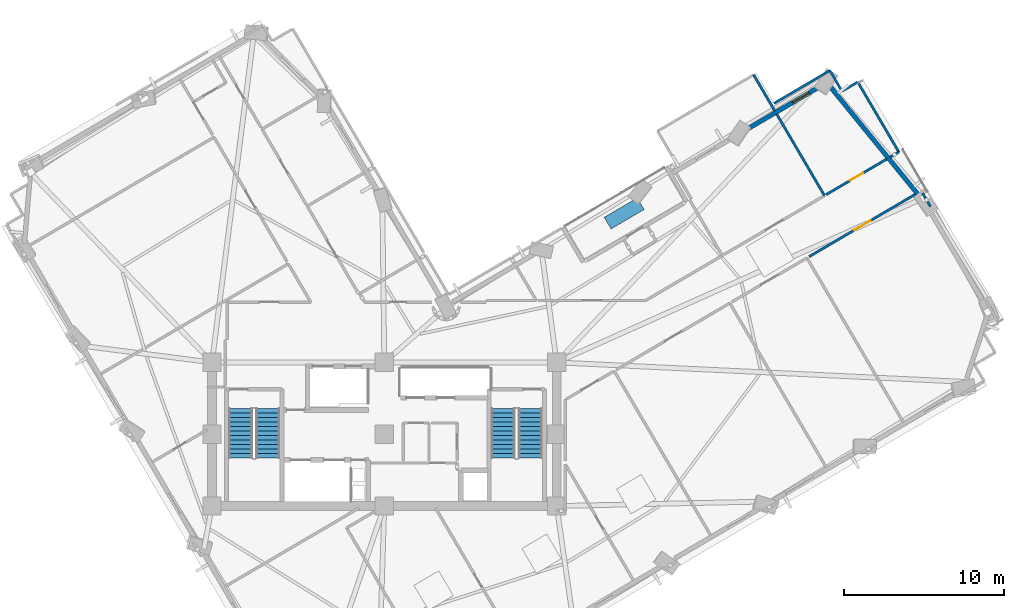
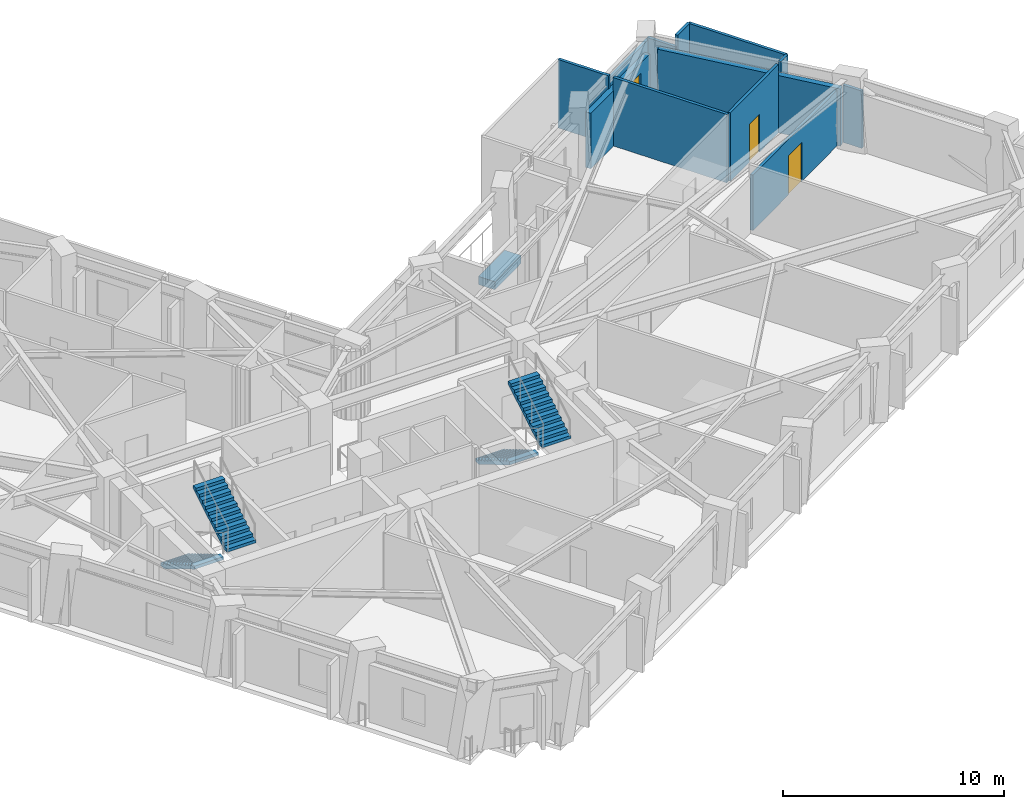
# One storey, part 8 of 12: 12 walls, 4 stair flights, 2 doors, 1 discrete accessory, 1 window, 3 openings, 2 elements without a shape of their own.
"""IFC4 building model written with IfcOpenShell, lengths in metres."""

from ifc_helpers import new_model, si_unit, direction, frame, frame_2d, origin, origin_2d, place, context, subcontext, project, spatial, polyline, rectangle, outline, extrude, material, layer, layer_set, type_object, element, fill, aggregate, save


model = new_model("IFC4")

# Units and contexts
model_context = context("Model", 3, precision=1e-05, world=origin(), true_north=direction((0.0, 1.0)))
body_context = subcontext(model_context, "Body", "Model", "MODEL_VIEW")
ifc_project = project(units=[si_unit("LENGTHUNIT", "METRE"), si_unit("AREAUNIT", "SQUARE_METRE"), si_unit("VOLUMEUNIT", "CUBIC_METRE"), si_unit("PLANEANGLEUNIT", "RADIAN"), si_unit("MASSUNIT", "GRAM", prefix="KILO")], contexts=[model_context])

# Site, building, storey
site_placement = place(None, origin())
site = spatial("IfcSite", under=ifc_project, at=site_placement, CompositionType="ELEMENT")
building_placement = place(site_placement, origin())
building = spatial("IfcBuilding", under=site, at=building_placement, Name="Gaonmaruhae Medical Tower", CompositionType="ELEMENT")
storey_placement = place(building_placement, frame((0.0, 0.0, 153.800048828125)))
storey = spatial("IfcBuildingStorey", under=building, at=storey_placement, Name="L36", CompositionType="ELEMENT", Elevation=153.800048828125)

# Wall
ifc_material_1 = material(Name="Precast concrete C45/55", Category="concrete")
ifc_layer_1 = layer(ifc_material_1, 0.280029296875)
ifc_layer_set_1 = layer_set([ifc_layer_1], Name="Precast concrete C45/55")
wall_type_1 = type_object("IfcWallType", Name="EW-280 Upper Precast Masonry-Frame Facade Wall", PredefinedType="SOLIDWALL", material=ifc_layer_set_1)
wall_1_placement = place(storey_placement, frame((52.7294921875, 34.087890625, 0.0), z_axis=(0.0, 0.0, 1.0), x_axis=(0.631897979665, -0.775051574603, 0.0)))
element("IfcWall", 1, at=wall_1_placement, inside=storey, type_object=wall_type_1, Name="L36 Precast Masonry-Frame Wall E02-E03", PredefinedType="SOLIDWALL", context=body_context, shape_type="SweptSolid", body=[
    extrude(rectangle(XDim=8.837646484375, YDim=0.280029296875, at=frame_2d((4.4189453125, 0.0))), origin(), (0.0, 0.0, 1.0), 3.1650390625),
])

# Wall, opening, window
wall_2_placement = place(storey_placement, frame((47.4716796875, 31.373291015625, 0.0), z_axis=(0.0, 0.0, 1.0), x_axis=(0.862501509664, 0.50605448899, 0.0)))
wall_2 = element("IfcWall", 2, at=wall_2_placement, inside=storey, type_object=wall_type_1, Name="L36 Precast Masonry-Frame Wall E03-EN01", PredefinedType="SOLIDWALL", context=body_context, shape_type="SweptSolid", body=[
    extrude(rectangle(XDim=5.40478515625, YDim=0.280029296875, at=frame_2d((2.702392578125, 0.0))), origin(), (0.0, 0.0, 1.0), 3.06494140625),
])
opening_1_placement = place(wall_2_placement, frame((3.37890625, 0.0, 0.75)))
opening_1 = element("IfcOpeningElement", 3, at=opening_1_placement, cuts=wall_2, Name="Opening WN-05", PredefinedType="OPENING", context=body_context, shape_type="SweptSolid", body=[
    extrude(rectangle(XDim=1.199951171875, YDim=1.75, at=frame_2d((0.60009765625, 0.875))), frame((0.0, 0.14990234375, 0.0), z_axis=(0.0, -1.0, 0.0), x_axis=(1.0, 0.0, 0.0)), (0.0, 0.0, 1.0), 0.300048828125),
])
ifc_material_2 = material(Name="Anodised aluminium and Low-E double glazing", Category="aluminium")
window_type = type_object("IfcWindowType", Name="WN-05 Support & Staff Punched Window 1200x1750", PartitioningType="SINGLE_PANEL", PredefinedType="WINDOW", material=ifc_material_2)
window_placement = place(opening_1_placement, origin())
window = element("IfcWindow", 4, at=window_placement, inside=storey, type_object=window_type, Name="L36 Modular Facade Window E03", OverallHeight=1.75, OverallWidth=1.199951171875, PartitioningType="SINGLE_PANEL", PredefinedType="WINDOW", context=body_context, shape_type="SweptSolid", body=[
    extrude(rectangle(XDim=1.199951171875, YDim=1.75, at=frame_2d((0.60009765625, 0.875))), frame((0.0, 0.030029296875, 0.0), z_axis=(0.0, -1.0, 0.0), x_axis=(1.0, 0.0, 0.0)), (0.0, 0.0, 1.0), 0.06005859375),
])
fill(opening_1, window)

# Wall, opening, door
ifc_material_3 = material(Name="Gypsum board partition", Category="gypsum")
ifc_layer_2 = layer(ifc_material_3, 0.14990234375)
ifc_layer_set_2 = layer_set([ifc_layer_2], Name="Gypsum board partition")
wall_type_2 = type_object("IfcWallType", Name="PW-150 Rated Clinical Corridor Partition", PredefinedType="PARTITIONING", material=ifc_layer_set_2)
wall_3_placement = place(storey_placement, frame((51.4189453125, 23.427978515625, 0.0), z_axis=(0.0, 0.0, 1.0), x_axis=(0.862469746782, 0.506108620639, 0.0)))
wall_3 = element("IfcWall", 5, at=wall_3_placement, inside=storey, type_object=wall_type_2, Name="L36 Interior Partition L36-SUP07-29", PredefinedType="PARTITIONING", context=body_context, shape_type="SweptSolid", body=[
    extrude(rectangle(XDim=7.727783203125, YDim=0.14990234375, at=frame_2d((3.86376953125, 0.0))), origin(), (0.0, 0.0, 1.0), 3.06494140625),
])
opening_2_placement = place(wall_3_placement, frame((3.263916015625, 0.0, 0.0)))
opening_2 = element("IfcOpeningElement", 6, at=opening_2_placement, cuts=wall_3, Name="Opening CD-02", PredefinedType="OPENING", context=body_context, shape_type="SweptSolid", body=[
    extrude(rectangle(XDim=1.199951171875, YDim=2.14990234375, at=frame_2d((0.60009765625, 1.074951171875))), frame((0.0, 0.0849609375, 0.0), z_axis=(0.0, -1.0, 0.0), x_axis=(1.0, 0.0, 0.0)), (0.0, 0.0, 1.0), 0.169921875),
])
ifc_material_4 = material(Name="Antimicrobial laminate timber fire door", Category="wood")
door_type_1 = type_object("IfcDoorType", Name="CD-02 Clinical Treatment & Procedure Door 1200x2150", OperationType="NOTDEFINED", PredefinedType="DOOR", material=ifc_material_4)
door_1_placement = place(opening_2_placement, origin())
door_1 = element("IfcDoor", 7, at=door_1_placement, inside=storey, type_object=door_type_1, Name="L36 Clinical Biomedical Charting Office Door", OperationType="SINGLE_SWING_LEFT", OverallHeight=2.14990234375, OverallWidth=1.199951171875, PredefinedType="DOOR", context=body_context, shape_type="SweptSolid", body=[
    extrude(rectangle(XDim=1.199951171875, YDim=2.14990234375, at=frame_2d((0.60009765625, 1.074951171875))), frame((0.0, 0.02490234375, 0.0), z_axis=(0.0, -1.0, 0.0), x_axis=(1.0, 0.0, 0.0)), (0.0, 0.0, 1.0), 0.050048828125),
])
fill(opening_2, door_1)

# Walls
wall_4_placement = place(storey_placement, frame((58.52587890625, 27.410888671875, 0.0), z_axis=(0.0, 0.0, 1.0), x_axis=(0.506220551384, -0.86240405458, 0.0)))
element("IfcWall", 8, at=wall_4_placement, inside=storey, type_object=wall_type_2, Name="L36 Interior Partition L36-SUP07-30", PredefinedType="PARTITIONING", context=body_context, shape_type="SweptSolid", body=[
    extrude(rectangle(XDim=0.98779296875, YDim=0.14990234375, at=frame_2d((0.493896484375, 0.0))), origin(), (0.0, 0.0, 1.0), 3.1650390625),
])
wall_5_placement = place(storey_placement, frame((47.93408203125, 34.8330078125, 0.0), z_axis=(0.0, 0.0, 1.0), x_axis=(0.505885937908, -0.862600381305, 0.0)))
element("IfcWall", 9, at=wall_5_placement, inside=storey, type_object=wall_type_2, Name="L36 Interior Partition L36-IE03-79", PredefinedType="PARTITIONING", context=body_context, shape_type="SweptSolid", body=[
    extrude(rectangle(XDim=2.635009765625, YDim=0.14990234375, at=frame_2d((1.3173828125, 0.0))), origin(), (0.0, 0.0, 1.0), 3.780029296875),
])
wall_6_placement = place(storey_placement, frame((49.384033203125, 32.362060546875, 0.0), z_axis=(0.0, 0.0, 1.0), x_axis=(0.505957393196, -0.862558471218, 0.0)))
element("IfcWall", 10, at=wall_6_placement, inside=storey, type_object=wall_type_2, Name="L36 Interior Partition L36-IE03-80", PredefinedType="PARTITIONING", context=body_context, shape_type="SweptSolid", body=[
    extrude(rectangle(XDim=5.925537109375, YDim=0.14990234375, at=frame_2d((2.962890625, 0.0))), origin(), (0.0, 0.0, 1.0), 3.780029296875),
])
wall_7_placement = place(storey_placement, frame((49.22802734375, 33.041015625, 0.0), z_axis=(0.0, 0.0, 1.0), x_axis=(0.862431229601, 0.506174252811, 0.0)))
element("IfcWall", 11, at=wall_7_placement, inside=storey, type_object=wall_type_2, Name="L36 Interior Partition L36-IE04-85", PredefinedType="PARTITIONING", context=body_context, shape_type="SweptSolid", body=[
    extrude(rectangle(XDim=4.050048828125, YDim=0.14990234375, at=frame_2d((2.02490234375, 0.0))), origin(), (0.0, 0.0, 1.0), 3.06494140625),
])
wall_8_placement = place(storey_placement, frame((52.720947265625, 35.091064453125, 0.0), z_axis=(0.0, 0.0, 1.0), x_axis=(0.50597425282, -0.86254858152, 0.0)))
element("IfcWall", 12, at=wall_8_placement, inside=storey, type_object=wall_type_2, Name="L36 Interior Partition L36-IE04-86", PredefinedType="PARTITIONING", context=body_context, shape_type="SweptSolid", body=[
    extrude(rectangle(XDim=1.500244140625, YDim=0.14990234375, at=frame_2d((0.75, 0.0))), origin(), (0.0, 0.0, 1.0), 3.1650390625),
])
wall_9_placement = place(storey_placement, frame((53.47998046875, 33.797119140625, 0.0), z_axis=(0.0, 0.0, 1.0), x_axis=(0.862697970098, 0.505719499712, 0.0)))
element("IfcWall", 13, at=wall_9_placement, inside=storey, type_object=wall_type_2, Name="L36 Interior Partition L36-IE04-87", PredefinedType="PARTITIONING", context=body_context, shape_type="SweptSolid", body=[
    extrude(rectangle(XDim=1.140869140625, YDim=0.14990234375, at=frame_2d((0.5703125, 0.0))), origin(), (0.0, 0.0, 1.0), 3.780029296875),
])
wall_10_placement = place(storey_placement, frame((54.464111328125, 34.3740234375, 0.0), z_axis=(0.0, 0.0, 1.0), x_axis=(0.505927534005, -0.862575985254, 0.0)))
element("IfcWall", 14, at=wall_10_placement, inside=storey, type_object=wall_type_2, Name="L36 Interior Partition L36-IE04-88", PredefinedType="PARTITIONING", context=body_context, shape_type="SweptSolid", body=[
    extrude(rectangle(XDim=5.089599609375, YDim=0.14990234375, at=frame_2d((2.544921875, 0.0))), origin(), (0.0, 0.0, 1.0), 3.780029296875),
])
wall_11_placement = place(storey_placement, frame((57.0390625, 29.98388671875, 0.0), z_axis=(0.0, 0.0, 1.0), x_axis=(-0.862042199655, -0.506836508171, 0.0)))
element("IfcWall", 15, at=wall_11_placement, inside=storey, type_object=wall_type_2, Name="L36 Interior Partition L36-IE04-89", PredefinedType="PARTITIONING", context=body_context, shape_type="SweptSolid", body=[
    extrude(rectangle(XDim=0.63916015625, YDim=0.14990234375, at=frame_2d((0.319580078125, 0.0))), origin(), (0.0, 0.0, 1.0), 3.780029296875),
])

# Wall, opening, door
wall_12_placement = place(storey_placement, frame((56.287109375, 29.54296875, 0.0), z_axis=(0.0, 0.0, 1.0), x_axis=(-0.862480426049, -0.506090421449, 0.0)))
wall_12 = element("IfcWall", 16, at=wall_12_placement, inside=storey, type_object=wall_type_2, Name="L36 Interior Partition L36-IE04-90", PredefinedType="PARTITIONING", context=body_context, shape_type="SweptSolid", body=[
    extrude(rectangle(XDim=4.408203125, YDim=0.14990234375, at=frame_2d((2.2041015625, 0.0))), origin(), (0.0, 0.0, 1.0), 3.780029296875),
])
opening_3_placement = place(wall_12_placement, frame((1.744140625, 0.0, 0.0)))
opening_3 = element("IfcOpeningElement", 17, at=opening_3_placement, cuts=wall_12, Name="Opening UD-01", PredefinedType="OPENING", context=body_context, shape_type="SweptSolid", body=[
    extrude(rectangle(XDim=0.919921875, YDim=2.10009765625, at=frame_2d((0.4599609375, 1.050048828125))), frame((0.0, 0.0849609375, 0.0), z_axis=(0.0, -1.0, 0.0), x_axis=(1.0, 0.0, 0.0)), (0.0, 0.0, 1.0), 0.169921875),
])
ifc_material_5 = material(Name="Powder-coated steel utility door", Category="steel")
door_type_2 = type_object("IfcDoorType", Name="UD-01 Toilet, Utility & Housekeeping Door 920x2100", OperationType="NOTDEFINED", PredefinedType="DOOR", material=ifc_material_5)
door_2_placement = place(opening_3_placement, origin())
door_2 = element("IfcDoor", 18, at=door_2_placement, inside=storey, type_object=door_type_2, Name="L36 Accessible Public Toilet Door", OperationType="SINGLE_SWING_RIGHT", OverallHeight=2.10009765625, OverallWidth=0.919921875, PredefinedType="DOOR", context=body_context, shape_type="SweptSolid", body=[
    extrude(rectangle(XDim=0.919921875, YDim=2.10009765625, at=frame_2d((0.4599609375, 1.050048828125))), frame((0.0, 0.02490234375, 0.0), z_axis=(0.0, -1.0, 0.0), x_axis=(1.0, 0.0, 0.0)), (0.0, 0.0, 1.0), 0.050048828125),
])
fill(opening_3, door_2)

# Stair, stair flights
ifc_material_6 = material(Name="Concrete C40/50", Category="concrete")
stair_type = type_object("IfcStairType", Name="ST-T1 Primary Core Escape Dogleg Stair", PredefinedType="TWO_QUARTER_TURN_STAIR", material=ifc_material_6)
stair_1_placement = place(storey_placement, origin())
stair_1 = element("IfcStair", 19, at=stair_1_placement, inside=storey, type_object=stair_type, Name="L36 Protected Escape Stair ST-01", PredefinedType="TWO_QUARTER_TURN_STAIR")
stair_flight_type = type_object("IfcStairFlightType", Name="SF-T1 Primary Core Precast Stair Flight", PredefinedType="STRAIGHT", material=ifc_material_6)
stair_flight_1_placement = place(storey_placement, frame((15.800048828125, 13.89990234375, 0.0), z_axis=(0.0, 0.0, 1.0), x_axis=(0.0, -1.0, 0.0)))
stair_flight_1 = element("IfcStairFlight", 20, at=stair_flight_1_placement, type_object=stair_flight_type, Name="ST-01 flight 1", NumberOfRisers=12, NumberOfTreads=11, PredefinedType="STRAIGHT", RiserHeight=0.166666667, TreadLength=0.28, context=body_context, shape_type="SweptSolid", body=[
    extrude(outline(polyline([(0.0, 0.0), (0.0, 0.166748046875), (0.280029296875, 0.166748046875), (0.280029296875, 0.333251953125), (0.56005859375, 0.333251953125), (0.56005859375, 0.5), (0.840087890625, 0.5), (0.840087890625, 0.666748046875), (1.1201171875, 0.666748046875), (1.1201171875, 0.833251953125), (1.39990234375, 0.833251953125), (1.39990234375, 1.0), (1.679931640625, 1.0), (1.679931640625, 1.166748046875), (1.9599609375, 1.166748046875), (1.9599609375, 1.333251953125), (2.239990234375, 1.333251953125), (2.239990234375, 1.5), (2.52001953125, 1.5), (2.52001953125, 1.666748046875), (2.800048828125, 1.666748046875), (2.800048828125, 1.833251953125), (3.080078125, 1.833251953125), (3.080078125, 2.0), (3.080078125, 1.658935546875), (0.29296875, 0.0), (0.0, 0.0)])), frame((0.0, 0.75, 0.0), z_axis=(0.0, -1.0, 0.0), x_axis=(1.0, 0.0, 0.0)), (0.0, 0.0, 1.0), 1.5),
])
stair_flight_2_placement = place(storey_placement, frame((17.5, 10.820068359375, 2.0), z_axis=(0.0, 0.0, 1.0), x_axis=(0.0, 1.0, 0.0)))
stair_flight_2 = element("IfcStairFlight", 21, at=stair_flight_2_placement, type_object=stair_flight_type, Name="ST-01 flight 2", NumberOfRisers=12, NumberOfTreads=11, PredefinedType="STRAIGHT", RiserHeight=0.166666667, TreadLength=0.28, context=body_context, shape_type="SweptSolid", body=[
    extrude(outline(polyline([(0.0, 0.0), (0.0, 0.166748046875), (0.280029296875, 0.166748046875), (0.280029296875, 0.333251953125), (0.56005859375, 0.333251953125), (0.56005859375, 0.5), (0.840087890625, 0.5), (0.840087890625, 0.666748046875), (1.1201171875, 0.666748046875), (1.1201171875, 0.833251953125), (1.39990234375, 0.833251953125), (1.39990234375, 1.0), (1.679931640625, 1.0), (1.679931640625, 1.166748046875), (1.9599609375, 1.166748046875), (1.9599609375, 1.333251953125), (2.239990234375, 1.333251953125), (2.239990234375, 1.5), (2.52001953125, 1.5), (2.52001953125, 1.666748046875), (2.800048828125, 1.666748046875), (2.800048828125, 1.833251953125), (3.080078125, 1.833251953125), (3.080078125, 2.0), (3.080078125, 1.658935546875), (0.29296875, 0.0), (0.0, 0.0)])), frame((0.0, 0.75, 0.0), z_axis=(0.0, -1.0, 0.0), x_axis=(1.0, 0.0, 0.0)), (0.0, 0.0, 1.0), 1.5),
])
aggregate(stair_1, [stair_flight_1, stair_flight_2])

stair_2_placement = place(storey_placement, origin())
stair_2 = element("IfcStair", 22, at=stair_2_placement, inside=storey, type_object=stair_type, Name="L36 Protected Escape Stair ST-02", PredefinedType="TWO_QUARTER_TURN_STAIR")
stair_flight_3_placement = place(storey_placement, frame((32.25, 13.89990234375, 0.0), z_axis=(0.0, 0.0, 1.0), x_axis=(0.0, -1.0, 0.0)))
stair_flight_3 = element("IfcStairFlight", 23, at=stair_flight_3_placement, type_object=stair_flight_type, Name="ST-02 flight 1", NumberOfRisers=12, NumberOfTreads=11, PredefinedType="STRAIGHT", RiserHeight=0.166666667, TreadLength=0.28, context=body_context, shape_type="SweptSolid", body=[
    extrude(outline(polyline([(0.0, 0.0), (0.0, 0.166748046875), (0.280029296875, 0.166748046875), (0.280029296875, 0.333251953125), (0.56005859375, 0.333251953125), (0.56005859375, 0.5), (0.840087890625, 0.5), (0.840087890625, 0.666748046875), (1.1201171875, 0.666748046875), (1.1201171875, 0.833251953125), (1.39990234375, 0.833251953125), (1.39990234375, 1.0), (1.679931640625, 1.0), (1.679931640625, 1.166748046875), (1.9599609375, 1.166748046875), (1.9599609375, 1.333251953125), (2.239990234375, 1.333251953125), (2.239990234375, 1.5), (2.52001953125, 1.5), (2.52001953125, 1.666748046875), (2.800048828125, 1.666748046875), (2.800048828125, 1.833251953125), (3.080078125, 1.833251953125), (3.080078125, 2.0), (3.080078125, 1.658935546875), (0.29296875, 0.0), (0.0, 0.0)])), frame((0.0, 0.75, 0.0), z_axis=(0.0, -1.0, 0.0), x_axis=(1.0, 0.0, 0.0)), (0.0, 0.0, 1.0), 1.5),
])
stair_flight_4_placement = place(storey_placement, frame((33.949951171875, 10.820068359375, 2.0), z_axis=(0.0, 0.0, 1.0), x_axis=(0.0, 1.0, 0.0)))
stair_flight_4 = element("IfcStairFlight", 24, at=stair_flight_4_placement, type_object=stair_flight_type, Name="ST-02 flight 2", NumberOfRisers=12, NumberOfTreads=11, PredefinedType="STRAIGHT", RiserHeight=0.166666667, TreadLength=0.28, context=body_context, shape_type="SweptSolid", body=[
    extrude(outline(polyline([(0.0, 0.0), (0.0, 0.166748046875), (0.280029296875, 0.166748046875), (0.280029296875, 0.333251953125), (0.56005859375, 0.333251953125), (0.56005859375, 0.5), (0.840087890625, 0.5), (0.840087890625, 0.666748046875), (1.1201171875, 0.666748046875), (1.1201171875, 0.833251953125), (1.39990234375, 0.833251953125), (1.39990234375, 1.0), (1.679931640625, 1.0), (1.679931640625, 1.166748046875), (1.9599609375, 1.166748046875), (1.9599609375, 1.333251953125), (2.239990234375, 1.333251953125), (2.239990234375, 1.5), (2.52001953125, 1.5), (2.52001953125, 1.666748046875), (2.800048828125, 1.666748046875), (2.800048828125, 1.833251953125), (3.080078125, 1.833251953125), (3.080078125, 2.0), (3.080078125, 1.658935546875), (0.29296875, 0.0), (0.0, 0.0)])), frame((0.0, 0.75, 0.0), z_axis=(0.0, -1.0, 0.0), x_axis=(1.0, 0.0, 0.0)), (0.0, 0.0, 1.0), 1.5),
])
aggregate(stair_2, [stair_flight_3, stair_flight_4])

# Discrete accessory
discrete_accessory_type = type_object("IfcDiscreteAccessoryType", Name="PLN-01 Sky Garden Precast Botanical Planter", PredefinedType="USERDEFINED", material=ifc_material_1)
discrete_accessory_placement = place(storey_placement, frame((39.830322265625, 26.136474609375, 0.0), z_axis=(0.0, 0.0, 1.0), x_axis=(0.862513669207, 0.506033764121, 0.0)))
element("IfcDiscreteAccessory", 25, at=discrete_accessory_placement, inside=storey, type_object=discrete_accessory_type, Name="L36 Sky Garden Botanical Planter SLB-L36-TER", ObjectType="PLANTER", PredefinedType="USERDEFINED", context=body_context, shape_type="SweptSolid", body=[
    extrude(rectangle(XDim=2.39990234375, YDim=0.85009765625, at=origin_2d()), origin(), (0.0, 0.0, 1.0), 0.449951171875),
])

save(model, "model.ifc")
